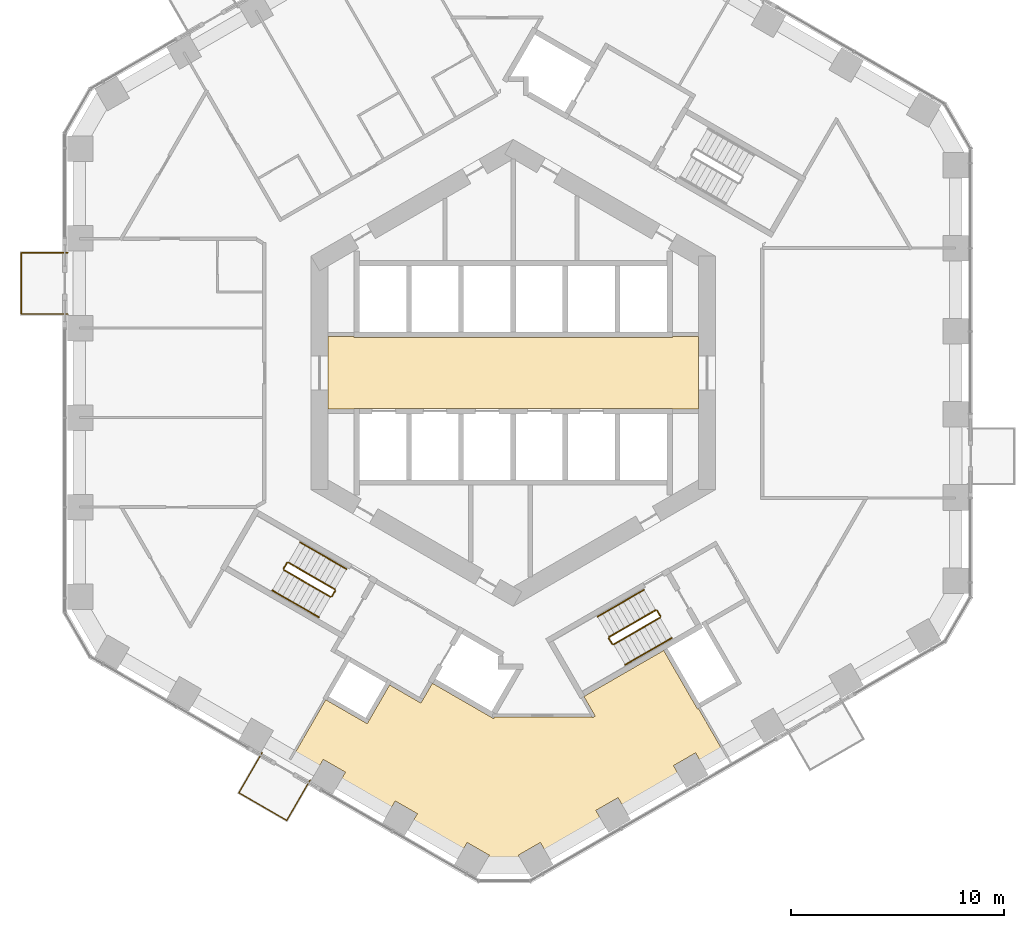
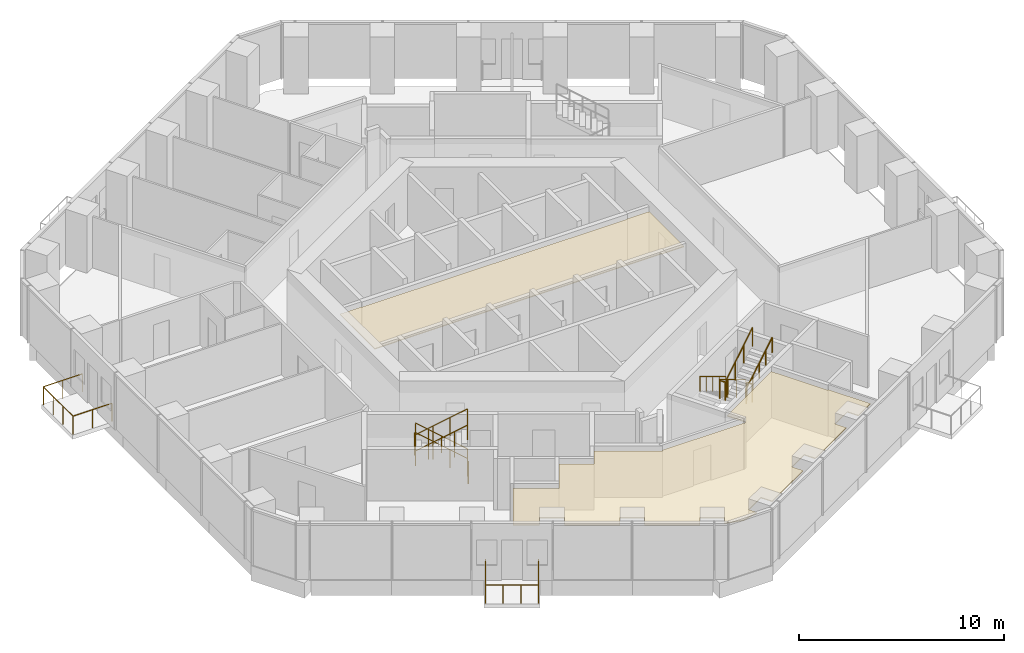
# One storey, part 18 of 20: 18 railings, 2 coverings.
"""IFC4 building model written with IfcOpenShell, lengths in metres."""

from ifc_helpers import new_model, si_unit, direction, frame, origin, origin_2d, place, context, subcontext, project, spatial, polyline, circle, outline, extrude, material, layer, layer_set, type_object, element, save


model = new_model("IFC4")

# Units and contexts
model_context = context("Model", 3, precision=1e-05, world=origin(), true_north=direction((0.0, 1.0)))
body_context = subcontext(model_context, "Body", "Model", "MODEL_VIEW")
ifc_project = project(units=[si_unit("LENGTHUNIT", "METRE"), si_unit("AREAUNIT", "SQUARE_METRE"), si_unit("VOLUMEUNIT", "CUBIC_METRE"), si_unit("PLANEANGLEUNIT", "RADIAN"), si_unit("MASSUNIT", "GRAM", prefix="KILO")], contexts=[model_context])

# Site, building, storey
site_placement = place(None, origin())
site = spatial("IfcSite", under=ifc_project, at=site_placement, CompositionType="ELEMENT")
building_placement = place(site_placement, origin())
building = spatial("IfcBuilding", under=site, at=building_placement, Name="Ayvan Gate Tower", CompositionType="ELEMENT")
storey_placement = place(building_placement, frame((0.0, 0.0, 49.300048828125)))
storey = spatial("IfcBuildingStorey", under=building, at=storey_placement, Name="L12", CompositionType="ELEMENT", Elevation=49.300048828125)

# Railings
ifc_material_1 = material(Name="Stainless steel 316 and laminated glass", Category="steel")
railing_type_1 = type_object("IfcRailingType", Name="Balcony balustrade 1100", PredefinedType="BALUSTRADE", material=ifc_material_1)
railing_1_placement = place(storey_placement, frame((-20.919189453125, 5.644775390625, 0.0)))
element("IfcRailing", 1, at=railing_1_placement, inside=storey, type_object=railing_type_1, Name="Balcony balustrade BAL-L12-3", PredefinedType="BALUSTRADE", context=body_context, shape_type="SweptSolid", body=[
    extrude(circle(Radius=0.02490234375, at=origin_2d()), frame((0.0, 0.0, 1.0751953125), z_axis=(-1.0, 0.0, 0.0), x_axis=(0.0, -1.0, 0.0)), (0.0, 0.0, 1.0), 2.18994140625),
    extrude(circle(Radius=0.02490234375, at=origin_2d()), frame((-2.18994140625, 0.0, 1.0751953125), z_axis=(0.0, -1.0, 0.0), x_axis=(1.0, 0.0, 0.0)), (0.0, 0.0, 1.0), 2.883056640625),
    extrude(circle(Radius=0.02490234375, at=origin_2d()), frame((-2.18994140625, -2.883056640625, 1.0751953125), z_axis=(1.0, 0.0, 0.0), x_axis=(0.0, 1.0, 0.0)), (0.0, 0.0, 1.0), 2.18994140625),
    extrude(circle(Radius=0.02001953125, at=origin_2d()), origin(), (0.0, 0.0, 1.0), 1.050048828125),
    extrude(circle(Radius=0.02001953125, at=origin_2d()), frame((-1.094970703125, 0.0, 0.0)), (0.0, 0.0, 1.0), 1.050048828125),
    extrude(circle(Radius=0.02001953125, at=origin_2d()), frame((-2.18994140625, 0.0, 0.0)), (0.0, 0.0, 1.0), 1.050048828125),
    extrude(circle(Radius=0.02001953125, at=origin_2d()), frame((-2.18994140625, -0.9609375, 0.0)), (0.0, 0.0, 1.0), 1.050048828125),
    extrude(circle(Radius=0.02001953125, at=origin_2d()), frame((-2.18994140625, -1.922119140625, 0.0)), (0.0, 0.0, 1.0), 1.050048828125),
    extrude(circle(Radius=0.02001953125, at=origin_2d()), frame((-2.18994140625, -2.883056640625, 0.0)), (0.0, 0.0, 1.0), 1.050048828125),
    extrude(circle(Radius=0.02001953125, at=origin_2d()), frame((-1.094970703125, -2.883056640625, 0.0)), (0.0, 0.0, 1.0), 1.050048828125),
    extrude(circle(Radius=0.02001953125, at=origin_2d()), frame((0.0, -2.883056640625, 0.0)), (0.0, 0.0, 1.0), 1.050048828125),
])
railing_2_placement = place(storey_placement, frame((-11.791015625, -17.827392578125, 0.0)))
element("IfcRailing", 2, at=railing_2_placement, inside=storey, type_object=railing_type_1, Name="Balcony balustrade BAL-L12-4", PredefinedType="BALUSTRADE", context=body_context, shape_type="SweptSolid", body=[
    extrude(circle(Radius=0.02490234375, at=origin_2d()), frame((0.0, 0.0, 1.0751953125), z_axis=(-0.500047297419, -0.865998094884, 0.0), x_axis=(0.865998094884, -0.500047297419, 0.0)), (0.0, 0.0, 1.0), 2.190185546875),
    extrude(circle(Radius=0.02490234375, at=origin_2d()), frame((-1.09521484375, -1.896728515625, 1.0751953125), z_axis=(0.866052445087, -0.499953160165, 0.0), x_axis=(0.499953160165, 0.866052445087, 0.0)), (0.0, 0.0, 1.0), 2.595458984375),
    extrude(circle(Radius=0.02490234375, at=origin_2d()), frame((1.152587890625, -3.1943359375, 1.0751953125), z_axis=(0.499963694393, 0.866046363822, 0.0), x_axis=(-0.866046363822, 0.499963694393, 0.0)), (0.0, 0.0, 1.0), 2.190185546875),
    extrude(circle(Radius=0.02001953125, at=origin_2d()), origin(), (0.0, 0.0, 1.0), 1.050048828125),
    extrude(circle(Radius=0.02001953125, at=origin_2d()), frame((-0.547607421875, -0.9482421875, 0.0)), (0.0, 0.0, 1.0), 1.050048828125),
    extrude(circle(Radius=0.02001953125, at=origin_2d()), frame((-1.09521484375, -1.896728515625, 0.0)), (0.0, 0.0, 1.0), 1.050048828125),
    extrude(circle(Radius=0.02001953125, at=origin_2d()), frame((-0.345947265625, -2.329345703125, 0.0)), (0.0, 0.0, 1.0), 1.050048828125),
    extrude(circle(Radius=0.02001953125, at=origin_2d()), frame((0.4033203125, -2.76171875, 0.0)), (0.0, 0.0, 1.0), 1.050048828125),
    extrude(circle(Radius=0.02001953125, at=origin_2d()), frame((1.152587890625, -3.1943359375, 0.0)), (0.0, 0.0, 1.0), 1.050048828125),
    extrude(circle(Radius=0.02001953125, at=origin_2d()), frame((1.7001953125, -2.24609375, 0.0)), (0.0, 0.0, 1.0), 1.050048828125),
    extrude(circle(Radius=0.02001953125, at=origin_2d()), frame((2.24755859375, -1.297607421875, 0.0)), (0.0, 0.0, 1.0), 1.050048828125),
])

# Coverings
ifc_material_2 = material(Name="Plasterboard suspended ceiling")
ifc_layer = layer(ifc_material_2, 0.050048828125)
ifc_layer_set = layer_set([ifc_layer], Name="Plasterboard suspended ceiling")
covering_type = type_object("IfcCoveringType", Name="CT-SUSP-50", PredefinedType="CEILING", material=ifc_layer_set)
covering_1_placement = place(storey_placement, frame((0.0, 0.0, 2.699951171875)))
element("IfcCovering", 3, at=covering_1_placement, inside=storey, type_object=covering_type, Name="Ceiling Lift Lobby L12", PredefinedType="CEILING", context=body_context, shape_type="SweptSolid", body=[
    extrude(outline(polyline([(7.47509765625, -1.675048828125), (-7.47509765625, -1.675048828125), (-7.47509765625, -1.699951171875), (-8.699951171875, -1.699951171875), (-8.699951171875, 1.699951171875), (-7.47509765625, 1.699951171875), (-7.47509765625, 1.675048828125), (7.47509765625, 1.675048828125), (7.47509765625, 1.699951171875), (8.699951171875, 1.699951171875), (8.699951171875, -1.699951171875), (7.47509765625, -1.699951171875), (7.47509765625, -1.675048828125)])), origin(), (0.0, 0.0, 1.0), 0.050048828125),
])
covering_2_placement = place(storey_placement, frame((0.0, 0.0, 2.699951171875)))
element("IfcCovering", 4, at=covering_2_placement, inside=storey, type_object=covering_type, Name="Ceiling Social Lounge L12", PredefinedType="CEILING", context=body_context, shape_type="SweptSolid", body=[
    extrude(outline(polyline([(-6.858154296875, -16.478515625), (-6.76806640625, -16.32275390625), (-5.80810546875, -14.659912109375), (-4.3359375, -15.510009765625), (-4.245849609375, -15.35400390625), (-4.235595703125, -15.33642578125), (-3.798583984375, -14.5791015625), (-3.775390625, -14.59228515625), (-0.9189453125, -16.24169921875), (-0.878173828125, -16.1708984375), (3.675537109375, -16.1708984375), (3.675537109375, -16.1162109375), (3.722900390625, -16.198486328125), (3.85302734375, -16.12353515625), (3.320556640625, -15.201416015625), (3.346435546875, -15.186279296875), (7.066162109375, -13.038818359375), (8.653564453125, -15.78857421875), (8.697021484375, -15.763427734375), (9.881591796875, -17.815185546875), (8.881103515625, -18.392578125), (8.56640625, -17.847412109375), (7.527099609375, -18.447509765625), (7.842041015625, -18.99267578125), (6.0283203125, -20.039794921875), (5.2353515625, -20.497802734375), (4.92041015625, -19.952392578125), (3.881103515625, -20.552490234375), (4.196044921875, -21.09765625), (1.58935546875, -22.602783203125), (1.2744140625, -22.057373046875), (0.2353515625, -22.657470703125), (0.46728515625, -23.0595703125), (-0.415283203125, -23.2958984375), (-1.349609375, -23.045654296875), (-1.12548828125, -22.657470703125), (-2.164794921875, -22.057373046875), (-2.464599609375, -22.576904296875), (-4.156982421875, -21.60009765625), (-4.804443359375, -21.226318359375), (-4.50439453125, -20.70654296875), (-5.543701171875, -20.106689453125), (-5.843505859375, -20.626220703125), (-8.18310546875, -19.275390625), (-7.88330078125, -18.755859375), (-8.922607421875, -18.15576171875), (-9.222412109375, -18.67529296875), (-10.34912109375, -18.02490234375), (-8.806640625, -15.353515625), (-8.763427734375, -15.378662109375), (-6.858154296875, -16.478515625)])), origin(), (0.0, 0.0, 1.0), 0.050048828125),
])

# Railings
ifc_material_3 = material(Name="Stainless steel balustrade", Category="steel")
railing_type_2 = type_object("IfcRailingType", Name="RL-GUARD-1100", PredefinedType="GUARDRAIL", material=ifc_material_3)
railing_3_placement = place(storey_placement, frame((-8.381103515625, -10.16650390625, 0.169921875)))
element("IfcRailing", 5, at=railing_3_placement, inside=storey, type_object=railing_type_2, Name="L12 STS2 stair guard 1", PredefinedType="GUARDRAIL", context=body_context, shape_type="SweptSolid", body=[
    extrude(circle(Radius=0.02392578125, at=origin_2d()), frame((0.0, 0.0, 1.076171875), z_axis=(-0.740261155115, 0.427395438142, 0.518986090067), x_axis=(-0.500004791531, -0.866022637375, 0.0)), (0.0, 0.0, 1.0), 2.947998046875),
    extrude(circle(Radius=0.02099609375, at=origin_2d()), origin(), (0.0, 0.0, 1.0), 1.052001953125),
    extrude(circle(Radius=0.02099609375, at=origin_2d()), frame((-0.7275390625, 0.419921875, 0.510009765625)), (0.0, 0.0, 1.0), 1.052001953125),
    extrude(circle(Radius=0.02099609375, at=origin_2d()), frame((-1.454833984375, 0.840087890625, 1.02001953125)), (0.0, 0.0, 1.0), 1.052001953125),
    extrude(circle(Radius=0.02099609375, at=origin_2d()), frame((-2.182373046875, 1.260009765625, 1.530029296875)), (0.0, 0.0, 1.0), 1.052001953125),
])
railing_4_placement = place(storey_placement, frame((-10.6318359375, -8.9248046875, 1.699951171875)))
element("IfcRailing", 6, at=railing_4_placement, inside=storey, type_object=railing_type_2, Name="L12 STS2 stair guard 2", PredefinedType="GUARDRAIL", context=body_context, shape_type="SweptSolid", body=[
    extrude(circle(Radius=0.02392578125, at=origin_2d()), frame((0.0, 0.0, 1.076171875), z_axis=(-0.499949632511, -0.866054481515, 0.0), x_axis=(0.866054481515, -0.499949632511, 0.0)), (0.0, 0.0, 1.0), 0.31005859375),
    extrude(circle(Radius=0.02099609375, at=origin_2d()), origin(), (0.0, 0.0, 1.0), 1.052001953125),
    extrude(circle(Radius=0.02099609375, at=origin_2d()), frame((-0.155029296875, -0.2685546875, 0.0)), (0.0, 0.0, 1.0), 1.052001953125),
])
railing_5_placement = place(storey_placement, frame((-10.7685546875, -9.261474609375, 1.869873046875)))
element("IfcRailing", 7, at=railing_5_placement, inside=storey, type_object=railing_type_2, Name="L12 STS2 stair guard 3", PredefinedType="GUARDRAIL", context=body_context, shape_type="SweptSolid", body=[
    extrude(circle(Radius=0.02392578125, at=origin_2d()), frame((0.0, 0.0, 1.076171875), z_axis=(0.740261155115, -0.427395438142, 0.518986090067), x_axis=(0.500004791531, 0.866022637375, 0.0)), (0.0, 0.0, 1.0), 2.947998046875),
    extrude(circle(Radius=0.02099609375, at=origin_2d()), origin(), (0.0, 0.0, 1.0), 1.052001953125),
    extrude(circle(Radius=0.02099609375, at=origin_2d()), frame((0.7275390625, -0.419921875, 0.510009765625)), (0.0, 0.0, 1.0), 1.052001953125),
    extrude(circle(Radius=0.02099609375, at=origin_2d()), frame((1.454833984375, -0.840087890625, 1.02001953125)), (0.0, 0.0, 1.0), 1.052001953125),
    extrude(circle(Radius=0.02099609375, at=origin_2d()), frame((2.182373046875, -1.260009765625, 1.530029296875)), (0.0, 0.0, 1.0), 1.052001953125),
])
railing_6_placement = place(storey_placement, frame((-8.36279296875, -10.23486328125, 0.0)))
element("IfcRailing", 8, at=railing_6_placement, inside=storey, type_object=railing_type_2, Name="L12 STS2 stair guard 4", PredefinedType="GUARDRAIL", context=body_context, shape_type="SweptSolid", body=[
    extrude(circle(Radius=0.02392578125, at=origin_2d()), frame((0.0, 0.0, 1.076171875), z_axis=(-0.500290723946, -0.86585748916, 0.0), x_axis=(0.86585748916, -0.500290723946, 0.0)), (0.0, 0.0, 1.0), 0.309814453125),
    extrude(circle(Radius=0.02099609375, at=origin_2d()), origin(), (0.0, 0.0, 1.0), 1.052001953125),
    extrude(circle(Radius=0.02099609375, at=origin_2d()), frame((-0.155029296875, -0.268310546875, 0.0)), (0.0, 0.0, 1.0), 1.052001953125),
])
railing_7_placement = place(storey_placement, frame((6.6923828125, -11.1416015625, 0.169921875)))
element("IfcRailing", 9, at=railing_7_placement, inside=storey, type_object=railing_type_2, Name="L12 STS3 stair guard 1", PredefinedType="GUARDRAIL", context=body_context, shape_type="SweptSolid", body=[
    extrude(circle(Radius=0.02392578125, at=origin_2d()), frame((0.0, 0.0, 1.076171875), z_axis=(-0.740261155115, -0.427395438142, 0.518986090067), x_axis=(0.500004791531, -0.866022637375, 0.0)), (0.0, 0.0, 1.0), 2.947998046875),
    extrude(circle(Radius=0.02099609375, at=origin_2d()), origin(), (0.0, 0.0, 1.0), 1.052001953125),
    extrude(circle(Radius=0.02099609375, at=origin_2d()), frame((-0.7275390625, -0.419921875, 0.510009765625)), (0.0, 0.0, 1.0), 1.052001953125),
    extrude(circle(Radius=0.02099609375, at=origin_2d()), frame((-1.454833984375, -0.840087890625, 1.02001953125)), (0.0, 0.0, 1.0), 1.052001953125),
    extrude(circle(Radius=0.02099609375, at=origin_2d()), frame((-2.182373046875, -1.260009765625, 1.530029296875)), (0.0, 0.0, 1.0), 1.052001953125),
])
railing_8_placement = place(storey_placement, frame((4.49169921875, -12.4697265625, 1.699951171875)))
element("IfcRailing", 10, at=railing_8_placement, inside=storey, type_object=railing_type_2, Name="L12 STS3 stair guard 2", PredefinedType="GUARDRAIL", context=body_context, shape_type="SweptSolid", body=[
    extrude(circle(Radius=0.02392578125, at=origin_2d()), frame((0.0, 0.0, 1.076171875), z_axis=(0.499949632511, -0.866054481515, 0.0), x_axis=(0.866054481515, 0.499949632511, 0.0)), (0.0, 0.0, 1.0), 0.31005859375),
    extrude(circle(Radius=0.02099609375, at=origin_2d()), origin(), (0.0, 0.0, 1.0), 1.052001953125),
    extrude(circle(Radius=0.02099609375, at=origin_2d()), frame((0.155029296875, -0.2685546875, 0.0)), (0.0, 0.0, 1.0), 1.052001953125),
])
railing_9_placement = place(storey_placement, frame((4.715087890625, -12.756591796875, 1.869873046875)))
element("IfcRailing", 11, at=railing_9_placement, inside=storey, type_object=railing_type_2, Name="L12 STS3 stair guard 3", PredefinedType="GUARDRAIL", context=body_context, shape_type="SweptSolid", body=[
    extrude(circle(Radius=0.02392578125, at=origin_2d()), frame((0.0, 0.0, 1.076171875), z_axis=(0.740261155115, 0.427395438142, 0.518986090067), x_axis=(-0.500004791531, 0.866022637375, 0.0)), (0.0, 0.0, 1.0), 2.947998046875),
    extrude(circle(Radius=0.02099609375, at=origin_2d()), origin(), (0.0, 0.0, 1.0), 1.052001953125),
    extrude(circle(Radius=0.02099609375, at=origin_2d()), frame((0.7275390625, 0.419921875, 0.510009765625)), (0.0, 0.0, 1.0), 1.052001953125),
    extrude(circle(Radius=0.02099609375, at=origin_2d()), frame((1.454833984375, 0.840087890625, 1.02001953125)), (0.0, 0.0, 1.0), 1.052001953125),
    extrude(circle(Radius=0.02099609375, at=origin_2d()), frame((2.182373046875, 1.260009765625, 1.530029296875)), (0.0, 0.0, 1.0), 1.052001953125),
])
railing_10_placement = place(storey_placement, frame((6.7607421875, -11.159912109375, 0.0)))
element("IfcRailing", 12, at=railing_10_placement, inside=storey, type_object=railing_type_2, Name="L12 STS3 stair guard 4", PredefinedType="GUARDRAIL", context=body_context, shape_type="SweptSolid", body=[
    extrude(circle(Radius=0.02392578125, at=origin_2d()), frame((0.0, 0.0, 1.076171875), z_axis=(0.500290723946, -0.86585748916, 0.0), x_axis=(0.86585748916, 0.500290723946, 0.0)), (0.0, 0.0, 1.0), 0.309814453125),
    extrude(circle(Radius=0.02099609375, at=origin_2d()), origin(), (0.0, 0.0, 1.0), 1.052001953125),
    extrude(circle(Radius=0.02099609375, at=origin_2d()), frame((0.155029296875, -0.268310546875, 0.0)), (0.0, 0.0, 1.0), 1.052001953125),
])
railing_type_3 = type_object("IfcRailingType", Name="RL-HANDRAIL-900", PredefinedType="HANDRAIL", material=ifc_material_3)
railing_11_placement = place(storey_placement, frame((-7.8310546875, -9.2138671875, 0.169921875)))
element("IfcRailing", 13, at=railing_11_placement, inside=storey, type_object=railing_type_3, Name="L12 STS2 stair handrail 1", PredefinedType="HANDRAIL", context=body_context, shape_type="SweptSolid", body=[
    extrude(circle(Radius=0.02392578125, at=origin_2d()), frame((0.0, 0.0, 0.8759765625), z_axis=(-0.740292964666, 0.42728318766, 0.519033143459), x_axis=(-0.499890179513, -0.866088799389, 0.0)), (0.0, 0.0, 1.0), 1.47412109375),
    extrude(circle(Radius=0.02099609375, at=origin_2d()), origin(), (0.0, 0.0, 1.0), 0.851806640625),
    extrude(circle(Radius=0.02099609375, at=origin_2d()), frame((-0.545654296875, 0.31494140625, 0.382568359375)), (0.0, 0.0, 1.0), 0.851806640625),
    extrude(circle(Radius=0.02099609375, at=origin_2d()), frame((-1.09130859375, 0.6298828125, 0.76513671875)), (0.0, 0.0, 1.0), 0.851806640625),
])
railing_12_placement = place(storey_placement, frame((-8.92236328125, -8.583984375, 0.93505859375)))
element("IfcRailing", 14, at=railing_12_placement, inside=storey, type_object=railing_type_3, Name="L12 STS2 stair handrail 2", PredefinedType="HANDRAIL", context=body_context, shape_type="SweptSolid", body=[
    extrude(circle(Radius=0.02392578125, at=origin_2d()), frame((0.0, 0.0, 0.8759765625), z_axis=(-0.740229329464, 0.427507697325, 0.518939021976), x_axis=(-0.50011940292, -0.865956455501, 0.0)), (0.0, 0.0, 1.0), 1.473876953125),
    extrude(circle(Radius=0.02099609375, at=origin_2d()), origin(), (0.0, 0.0, 1.0), 0.851806640625),
    extrude(circle(Radius=0.02099609375, at=origin_2d()), frame((-0.54541015625, 0.31494140625, 0.38232421875)), (0.0, 0.0, 1.0), 0.851806640625),
    extrude(circle(Radius=0.02099609375, at=origin_2d()), frame((-1.091064453125, 0.630126953125, 0.764892578125)), (0.0, 0.0, 1.0), 0.851806640625),
])
railing_13_placement = place(storey_placement, frame((-11.318603515625, -10.214111328125, 1.869873046875)))
element("IfcRailing", 15, at=railing_13_placement, inside=storey, type_object=railing_type_3, Name="L12 STS2 stair handrail 3", PredefinedType="HANDRAIL", context=body_context, shape_type="SweptSolid", body=[
    extrude(circle(Radius=0.02392578125, at=origin_2d()), frame((0.0, 0.0, 0.8759765625), z_axis=(0.740240574041, -0.427418550694, 0.518996411419), x_axis=(0.500035496587, 0.86600490885, 0.0)), (0.0, 0.0, 1.0), 1.474365234375),
    extrude(circle(Radius=0.02099609375, at=origin_2d()), origin(), (0.0, 0.0, 1.0), 0.851806640625),
    extrude(circle(Radius=0.02099609375, at=origin_2d()), frame((0.545654296875, -0.31494140625, 0.382568359375)), (0.0, 0.0, 1.0), 0.851806640625),
    extrude(circle(Radius=0.02099609375, at=origin_2d()), frame((1.09130859375, -0.630126953125, 0.76513671875)), (0.0, 0.0, 1.0), 0.851806640625),
])
railing_14_placement = place(storey_placement, frame((-10.227294921875, -10.84423828125, 2.635009765625)))
element("IfcRailing", 16, at=railing_14_placement, inside=storey, type_object=railing_type_3, Name="L12 STS2 stair handrail 4", PredefinedType="HANDRAIL", context=body_context, shape_type="SweptSolid", body=[
    extrude(circle(Radius=0.02392578125, at=origin_2d()), frame((0.0, 0.0, 0.8759765625), z_axis=(0.740356597536, -0.427319915356, 0.518912129772), x_axis=(0.499890179513, 0.866088799389, 0.0)), (0.0, 0.0, 1.0), 1.47412109375),
    extrude(circle(Radius=0.02099609375, at=origin_2d()), origin(), (0.0, 0.0, 1.0), 0.851806640625),
    extrude(circle(Radius=0.02099609375, at=origin_2d()), frame((0.545654296875, -0.31494140625, 0.38232421875)), (0.0, 0.0, 1.0), 0.851806640625),
    extrude(circle(Radius=0.02099609375, at=origin_2d()), frame((1.09130859375, -0.6298828125, 0.764892578125)), (0.0, 0.0, 1.0), 0.851806640625),
])
railing_15_placement = place(storey_placement, frame((6.142333984375, -10.18896484375, 0.169921875)))
element("IfcRailing", 17, at=railing_15_placement, inside=storey, type_object=railing_type_3, Name="L12 STS3 stair handrail 1", PredefinedType="HANDRAIL", context=body_context, shape_type="SweptSolid", body=[
    extrude(circle(Radius=0.02392578125, at=origin_2d()), frame((0.0, 0.0, 0.8759765625), z_axis=(-0.740218099111, -0.427335577468, 0.519096782863), x_axis=(0.499974077718, -0.866040369504, 0.0)), (0.0, 0.0, 1.0), 1.473876953125),
    extrude(circle(Radius=0.02099609375, at=origin_2d()), origin(), (0.0, 0.0, 1.0), 0.851806640625),
    extrude(circle(Radius=0.02099609375, at=origin_2d()), frame((-0.54541015625, -0.31494140625, 0.382568359375)), (0.0, 0.0, 1.0), 0.851806640625),
    extrude(circle(Radius=0.02099609375, at=origin_2d()), frame((-1.091064453125, -0.6298828125, 0.76513671875)), (0.0, 0.0, 1.0), 0.851806640625),
])
railing_16_placement = place(storey_placement, frame((5.05126953125, -10.81884765625, 0.93505859375)))
element("IfcRailing", 18, at=railing_16_placement, inside=storey, type_object=railing_type_3, Name="L12 STS3 stair handrail 2", PredefinedType="HANDRAIL", context=body_context, shape_type="SweptSolid", body=[
    extrude(circle(Radius=0.02392578125, at=origin_2d()), frame((0.0, 0.0, 0.8759765625), z_axis=(-0.740304193401, -0.427455284825, 0.518875399983), x_axis=(0.500035496587, -0.86600490885, 0.0)), (0.0, 0.0, 1.0), 1.47412109375),
    extrude(circle(Radius=0.02099609375, at=origin_2d()), origin(), (0.0, 0.0, 1.0), 0.851806640625),
    extrude(circle(Radius=0.02099609375, at=origin_2d()), frame((-0.545654296875, -0.31494140625, 0.38232421875)), (0.0, 0.0, 1.0), 0.851806640625),
    extrude(circle(Radius=0.02099609375, at=origin_2d()), frame((-1.09130859375, -0.630126953125, 0.764892578125)), (0.0, 0.0, 1.0), 0.851806640625),
])
railing_17_placement = place(storey_placement, frame((5.264892578125, -13.709228515625, 1.869873046875)))
element("IfcRailing", 19, at=railing_17_placement, inside=storey, type_object=railing_type_3, Name="L12 STS3 stair handrail 3", PredefinedType="HANDRAIL", context=body_context, shape_type="SweptSolid", body=[
    extrude(circle(Radius=0.02392578125, at=origin_2d()), frame((0.0, 0.0, 0.8759765625), z_axis=(0.740240574041, 0.427418550694, 0.518996411419), x_axis=(-0.500035496587, 0.86600490885, 0.0)), (0.0, 0.0, 1.0), 1.474365234375),
    extrude(circle(Radius=0.02099609375, at=origin_2d()), origin(), (0.0, 0.0, 1.0), 0.851806640625),
    extrude(circle(Radius=0.02099609375, at=origin_2d()), frame((0.545654296875, 0.31494140625, 0.382568359375)), (0.0, 0.0, 1.0), 0.851806640625),
    extrude(circle(Radius=0.02099609375, at=origin_2d()), frame((1.09130859375, 0.630126953125, 0.76513671875)), (0.0, 0.0, 1.0), 0.851806640625),
])
railing_18_placement = place(storey_placement, frame((6.356201171875, -13.0791015625, 2.635009765625)))
element("IfcRailing", 20, at=railing_18_placement, inside=storey, type_object=railing_type_3, Name="L12 STS3 stair handrail 4", PredefinedType="HANDRAIL", context=body_context, shape_type="SweptSolid", body=[
    extrude(circle(Radius=0.02392578125, at=origin_2d()), frame((0.0, 0.0, 0.8759765625), z_axis=(0.740281741151, 0.427372318678, 0.518975765278), x_axis=(-0.499974077718, 0.866040369504, 0.0)), (0.0, 0.0, 1.0), 1.473876953125),
    extrude(circle(Radius=0.02099609375, at=origin_2d()), origin(), (0.0, 0.0, 1.0), 0.851806640625),
    extrude(circle(Radius=0.02099609375, at=origin_2d()), frame((0.54541015625, 0.31494140625, 0.38232421875)), (0.0, 0.0, 1.0), 0.851806640625),
    extrude(circle(Radius=0.02099609375, at=origin_2d()), frame((1.091064453125, 0.6298828125, 0.764892578125)), (0.0, 0.0, 1.0), 0.851806640625),
])

save(model, "model.ifc")
